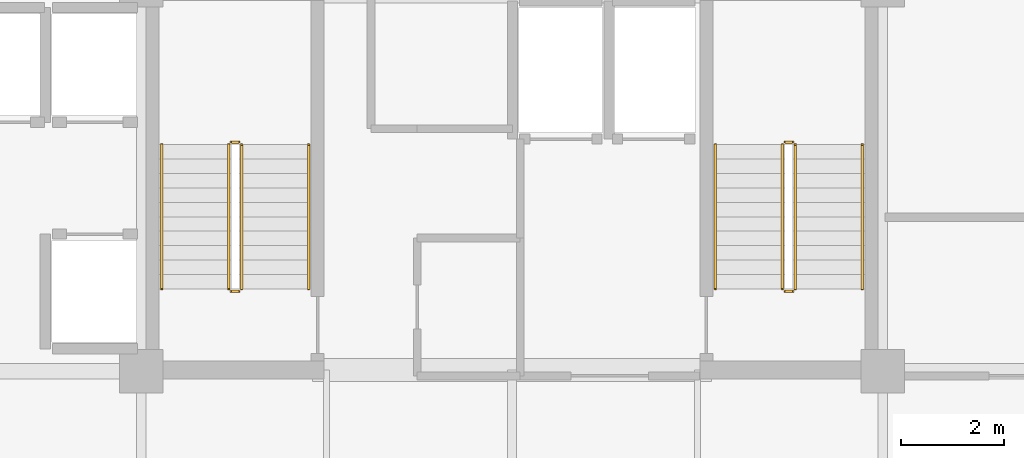
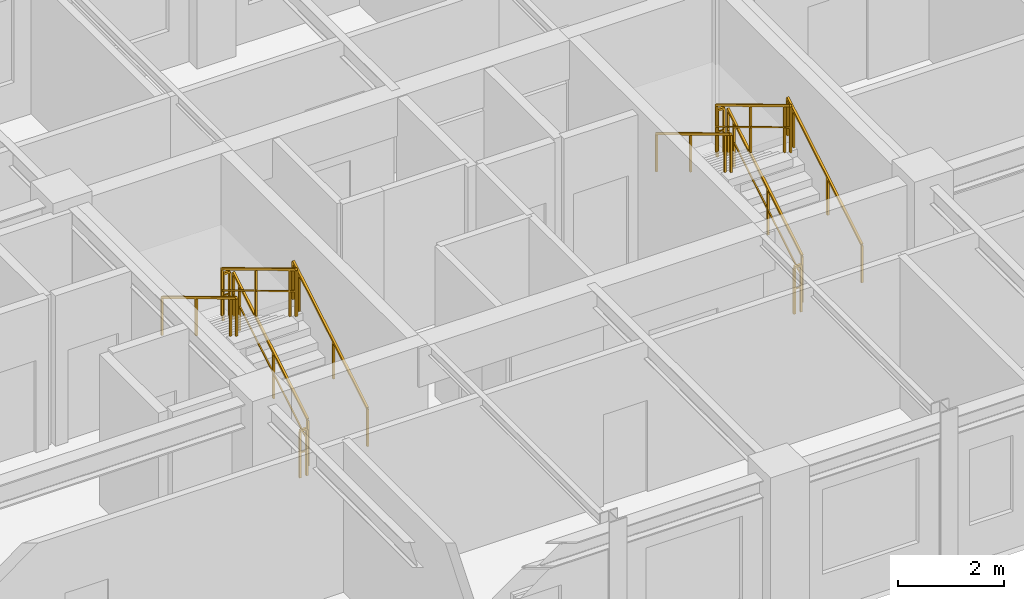
# One storey, part 10 of 11: 12 railings.
"""IFC4 building model written with IfcOpenShell, lengths in metres."""

import ifcopenshell
import ifcopenshell.guid

model = None  # the IFC model being written
_history = None  # IfcOwnerHistory: only IFC2X3 demands one
_inside = {}  # id of a spatial element -> (the spatial element, [elements in it])
_under = {}  # id of a project, library or spatial element -> (it, [spatial elements below it])
_declared = {}  # id of a project -> (the project, [libraries it declares])
_typed = {}  # id of a type object -> (the type object, [elements of that type])
_made_of = {}  # id of a material, layer set ... -> (it, [elements and type objects made of it])


def new_model(schema):
    """Start an empty IFC model of exactly this schema.

    Asked for "IFC4X3", IfcOpenShell would pick the latest addendum, in which some entities
    have other attributes; the version numbers below select the first issue.
    IFC2X3 requires an IfcOwnerHistory on every rooted entity: one is made here for all.
    """
    global model, _history
    if schema == "IFC4X3":
        model = ifcopenshell.file(schema_version=(4, 3, 0, 0))
    else:
        model = ifcopenshell.file(schema=schema)
    _inside.clear()
    _under.clear()
    _declared.clear()
    _typed.clear()
    _made_of.clear()
    _history = None
    if model.schema == "IFC2X3":
        org = make("IfcOrganization", Name="unknown")
        user = make(
            "IfcPersonAndOrganization",
            ThePerson=make("IfcPerson", FamilyName="unknown"),
            TheOrganization=org,
        )
        app = make(
            "IfcApplication",
            ApplicationDeveloper=org,
            Version="unknown",
            ApplicationFullName="unknown",
            ApplicationIdentifier="unknown",
        )
        _history = make(
            "IfcOwnerHistory",
            OwningUser=user,
            OwningApplication=app,
            ChangeAction="ADDED",
            CreationDate=0,
        )
    return model


def make(cls, **values):
    """One entity of the class cls with the attributes given. An attribute that is None is left unset."""
    return model.create_entity(
        cls, **{name: value for name, value in values.items() if value is not None}
    )


def rooted(cls, **values):
    """An entity with a GlobalId (a new one), such as an element, a storey or a relation."""
    return make(cls, GlobalId=ifcopenshell.guid.new(), OwnerHistory=_history, **values)


def si_unit(unit_type, name, prefix=None):
    """IfcSIUnit, for example si_unit("LENGTHUNIT", "METRE", prefix="MILLI")."""
    return make("IfcSIUnit", UnitType=unit_type, Prefix=prefix, Name=name)


def assignment(units):
    """IfcUnitAssignment: the units of a project."""
    return None if units is None else make("IfcUnitAssignment", Units=units)


def point(xyz):
    """IfcCartesianPoint."""
    return None if xyz is None else make("IfcCartesianPoint", Coordinates=xyz)


def direction(xyz):
    """IfcDirection."""
    return None if xyz is None else make("IfcDirection", DirectionRatios=xyz)


def frame(location, z_axis=None, x_axis=None):
    """IfcAxis2Placement3D, a coordinate frame: its origin and axes. An axis left out is left unset."""
    return make(
        "IfcAxis2Placement3D",
        Location=point(location),
        Axis=direction(z_axis),
        RefDirection=direction(x_axis),
    )


def frame_2d(location, x_axis=None):
    """IfcAxis2Placement2D, a coordinate frame in the plane: its origin and x axis."""
    return make(
        "IfcAxis2Placement2D", Location=point(location), RefDirection=direction(x_axis)
    )


def origin():
    """The frame at (0, 0, 0) with its axes left unset."""
    return frame((0.0, 0.0, 0.0))


def origin_2d():
    """The frame at (0, 0) in the plane with its x axis left unset."""
    return frame_2d((0.0, 0.0))


def place(relative_to, where):
    """IfcLocalPlacement: puts the frame where relative to a parent placement (None: the world)."""
    return make(
        "IfcLocalPlacement", PlacementRelTo=relative_to, RelativePlacement=where
    )


def context(
    kind, dimensions, precision=None, world=None, true_north=None, identifier=None
):
    """IfcGeometricRepresentationContext, for example the 3D "Model" context."""
    return make(
        "IfcGeometricRepresentationContext",
        ContextIdentifier=identifier,
        ContextType=kind,
        CoordinateSpaceDimension=dimensions,
        Precision=precision,
        WorldCoordinateSystem=world,
        TrueNorth=true_north,
    )


def subcontext(parent, identifier, kind, view, scale=None):
    """IfcGeometricRepresentationSubContext, for example "Body" below "Model"."""
    return make(
        "IfcGeometricRepresentationSubContext",
        ContextIdentifier=identifier,
        ContextType=kind,
        ParentContext=parent,
        TargetScale=scale,
        TargetView=view,
    )


def project(units=None, contexts=None):
    """IfcProject with its units and contexts."""
    return rooted(
        "IfcProject",
        Name="project",
        RepresentationContexts=contexts,
        UnitsInContext=assignment(units),
    )


def spatial(cls, under=None, at=None, **own):
    """A site, building, storey or space (cls), placed at a placement, below another one or the project."""
    s = rooted(cls, ObjectPlacement=at, **own)
    if under is not None:
        _under.setdefault(under.id(), (under, []))[1].append(s)
    return s


def profile(cls, at=None, kind="AREA", **sizes):
    """A parametric profile (cls). Its sizes go by their IFC names, for example OverallWidth=200.0."""
    return make(cls, ProfileType=kind, Position=at, **sizes)


def rectangle(**sizes):
    """IfcRectangleProfileDef."""
    return profile("IfcRectangleProfileDef", **sizes)


def extrude(swept, where, along, depth):
    """IfcExtrudedAreaSolid: the profile swept, set in the frame where, extruded along a direction by depth."""
    return make(
        "IfcExtrudedAreaSolid",
        SweptArea=swept,
        Position=where,
        ExtrudedDirection=direction(along),
        Depth=depth,
    )


def shape(context_of_items, identifier, shape_type, items):
    """IfcShapeRepresentation: the items that make up one representation, for example the "Body"."""
    return make(
        "IfcShapeRepresentation",
        ContextOfItems=context_of_items,
        RepresentationIdentifier=identifier,
        RepresentationType=shape_type,
        Items=items,
    )


def material(Name=None, Category=None):
    """IfcMaterial."""
    return make("IfcMaterial", Name=Name, Category=Category)


def made_of(thing, what):
    """Note that an element or type object is made of a material, layer set ...; save() writes the relation."""
    if what is not None:
        _made_of.setdefault(what.id(), (what, []))[1].append(thing)
    return thing


def type_object(cls, material=None, **own):
    """A type object (cls), such as IfcWallType, which elements share."""
    return made_of(rooted(cls, **own), material)


def element(
    cls,
    number,
    at=None,
    inside=None,
    cuts=None,
    type_object=None,
    material=None,
    context=None,
    identifier="Body",
    shape_type=None,
    held_by="IfcProductDefinitionShape",
    body=None,
    shapes=None,
    **own,
):
    """One element of the class cls, such as IfcWall. Its Tag is "e" and its number.

    at: its placement. inside: the storey or other place that contains it. cuts: it is an
    opening in that element (IfcRelVoidsElement). A single representation is given by context,
    identifier, shape_type and body (its items); several are given by shapes. held_by: the class
    of the entity that holds the representations. save() writes the other relations.
    """
    e = rooted(cls, Tag="e%d" % number, ObjectPlacement=at, **own)
    if body is not None:
        shapes = [shape(context, identifier, shape_type, body)]
    if shapes is not None:
        e.Representation = make(held_by, Representations=shapes)
    if inside is not None:
        _inside.setdefault(inside.id(), (inside, []))[1].append(e)
    if cuts is not None:
        rooted(
            "IfcRelVoidsElement", RelatingBuildingElement=cuts, RelatedOpeningElement=e
        )
    if type_object is not None:
        _typed.setdefault(type_object.id(), (type_object, []))[1].append(e)
    return made_of(e, material)


def aggregate(whole, parts):
    """IfcRelAggregates: a whole, such as a stair, and the parts it consists of."""
    return rooted("IfcRelAggregates", RelatingObject=whole, RelatedObjects=parts)


def save(model, path):
    """Write the relations noted so far, then the file.

    IfcRelAggregates (storeys below a building ...), IfcRelContainedInSpatialStructure (elements
    in a storey), IfcRelDefinesByType, IfcRelAssociatesMaterial and IfcRelDeclares: one each for
    every whole, place, type object, material and project.
    """
    for whole, parts in _under.values():
        aggregate(whole, parts)
    for where, things in _inside.values():
        rooted(
            "IfcRelContainedInSpatialStructure",
            RelatedElements=things,
            RelatingStructure=where,
        )
    for kind, things in _typed.values():
        rooted("IfcRelDefinesByType", RelatedObjects=things, RelatingType=kind)
    for what, things in _made_of.values():
        rooted("IfcRelAssociatesMaterial", RelatedObjects=things, RelatingMaterial=what)
    for by, libraries in _declared.values():
        rooted("IfcRelDeclares", RelatingContext=by, RelatedDefinitions=libraries)
    model.write(path)


model = new_model("IFC4")

# Units and contexts
model_context = context("Model", 3, precision=1e-05, world=origin(), true_north=direction((0.0, 1.0)))
body_context = subcontext(model_context, "Body", "Model", "MODEL_VIEW")
ifc_project = project(units=[si_unit("LENGTHUNIT", "METRE"), si_unit("AREAUNIT", "SQUARE_METRE"), si_unit("VOLUMEUNIT", "CUBIC_METRE"), si_unit("PLANEANGLEUNIT", "RADIAN"), si_unit("MASSUNIT", "GRAM", prefix="KILO")], contexts=[model_context])

# Site, building, storey
site_placement = place(None, origin())
site = spatial("IfcSite", under=ifc_project, at=site_placement, CompositionType="ELEMENT")
building_placement = place(site_placement, origin())
building = spatial("IfcBuilding", under=site, at=building_placement, Name="Kaliganga Portal Commons", CompositionType="ELEMENT")
storey_placement = place(building_placement, frame((0.0, 0.0, 268.39990234375)))
storey = spatial("IfcBuildingStorey", under=building, at=storey_placement, Name="L69", CompositionType="ELEMENT", Elevation=268.39990234375)

# Railings
ifc_material_1 = material(Name="Galvanized Painted Steel Balustrade", Category="steel")
railing_type_1 = type_object("IfcRailingType", Name="RLG-STAIR-GRD", PredefinedType="GUARDRAIL", material=ifc_material_1)
railing_1_placement = place(storey_placement, frame((16.35009765625, 30.25, 0.168212890625)))
element("IfcRailing", 1, at=railing_1_placement, inside=storey, type_object=railing_type_1, Name="L69 ST-A1 stair guard 1", PredefinedType="GUARDRAIL", context=body_context, shape_type="SweptSolid", body=[
    extrude(rectangle(XDim=0.048095703125, YDim=0.048095703125, at=origin_2d()), frame((0.0, 0.0, 1.072021484375), z_axis=(0.0, 0.857242210791, 0.514913383045), x_axis=(-1.0, 0.0, 0.0)), (0.0, 0.0, 1.0), 3.266357421875),
    extrude(rectangle(XDim=0.028076171875, YDim=0.028076171875, at=origin_2d()), frame((0.0, 0.0, 0.572021484375), z_axis=(0.0, 0.857242210791, 0.514913383045), x_axis=(-1.0, 0.0, 0.0)), (0.0, 0.0, 1.0), 3.266357421875),
    extrude(rectangle(XDim=0.0419921875, YDim=0.0419921875, at=origin_2d()), origin(), (0.0, 0.0, 1.0), 1.052001953125),
    extrude(rectangle(XDim=0.0419921875, YDim=0.0419921875, at=origin_2d()), frame((0.0, 1.285888671875, 0.7724609375)), (0.0, 0.0, 1.0), 1.052001953125),
    extrude(rectangle(XDim=0.0419921875, YDim=0.0419921875, at=origin_2d()), frame((0.0, 2.57177734375, 1.544677734375)), (0.0, 0.0, 1.0), 1.052001953125),
    extrude(rectangle(XDim=0.0419921875, YDim=0.0419921875, at=origin_2d()), frame((0.0, 2.800048828125, 1.681884765625)), (0.0, 0.0, 1.0), 1.052001953125),
])
railing_2_placement = place(storey_placement, frame((16.300048828125, 33.10009765625, 1.85009765625)))
element("IfcRailing", 2, at=railing_2_placement, inside=storey, type_object=railing_type_1, Name="L69 ST-A1 stair guard 2", PredefinedType="GUARDRAIL", context=body_context, shape_type="SweptSolid", body=[
    extrude(rectangle(XDim=0.048095703125, YDim=0.048095703125, at=origin_2d()), frame((0.0, 0.0, 1.076171875), z_axis=(-1.0, 0.0, 0.0), x_axis=(0.0, -1.0, 0.0)), (0.0, 0.0, 1.0), 0.150146484375),
    extrude(rectangle(XDim=0.028076171875, YDim=0.028076171875, at=origin_2d()), frame((0.0, 0.0, 0.572021484375), z_axis=(-1.0, 0.0, 0.0), x_axis=(0.0, -1.0, 0.0)), (0.0, 0.0, 1.0), 0.150146484375),
    extrude(rectangle(XDim=0.0419921875, YDim=0.0419921875, at=origin_2d()), origin(), (0.0, 0.0, 1.0), 1.052001953125),
    extrude(rectangle(XDim=0.0419921875, YDim=0.0419921875, at=origin_2d()), frame((-0.150146484375, 0.0, 0.0)), (0.0, 0.0, 1.0), 1.052001953125),
])
railing_3_placement = place(storey_placement, frame((16.10009765625, 33.050048828125, 2.018310546875)))
element("IfcRailing", 3, at=railing_3_placement, inside=storey, type_object=railing_type_1, Name="L69 ST-A1 stair guard 3", PredefinedType="GUARDRAIL", context=body_context, shape_type="SweptSolid", body=[
    extrude(rectangle(XDim=0.048095703125, YDim=0.048095703125, at=origin_2d()), frame((0.0, 0.0, 1.072021484375), z_axis=(0.0, -0.857242210791, 0.514913383045), x_axis=(1.0, 0.0, 0.0)), (0.0, 0.0, 1.0), 3.266357421875),
    extrude(rectangle(XDim=0.028076171875, YDim=0.028076171875, at=origin_2d()), frame((0.0, 0.0, 0.572021484375), z_axis=(0.0, -0.857242210791, 0.514913383045), x_axis=(1.0, 0.0, 0.0)), (0.0, 0.0, 1.0), 3.266357421875),
    extrude(rectangle(XDim=0.0419921875, YDim=0.0419921875, at=origin_2d()), origin(), (0.0, 0.0, 1.0), 1.052001953125),
    extrude(rectangle(XDim=0.0419921875, YDim=0.0419921875, at=origin_2d()), frame((0.0, -1.285888671875, 0.7724609375)), (0.0, 0.0, 1.0), 1.052001953125),
    extrude(rectangle(XDim=0.0419921875, YDim=0.0419921875, at=origin_2d()), frame((0.0, -2.57177734375, 1.544677734375)), (0.0, 0.0, 1.0), 1.052001953125),
    extrude(rectangle(XDim=0.0419921875, YDim=0.0419921875, at=origin_2d()), frame((0.0, -2.800048828125, 1.681884765625)), (0.0, 0.0, 1.0), 1.052001953125),
])
railing_4_placement = place(storey_placement, frame((16.300048828125, 30.199951171875, 0.0)))
element("IfcRailing", 4, at=railing_4_placement, inside=storey, type_object=railing_type_1, Name="L69 ST-A1 stair guard 4", PredefinedType="GUARDRAIL", context=body_context, shape_type="SweptSolid", body=[
    extrude(rectangle(XDim=0.048095703125, YDim=0.048095703125, at=origin_2d()), frame((0.0, 0.0, 1.076171875), z_axis=(-1.0, 0.0, 0.0), x_axis=(0.0, -1.0, 0.0)), (0.0, 0.0, 1.0), 0.150146484375),
    extrude(rectangle(XDim=0.028076171875, YDim=0.028076171875, at=origin_2d()), frame((0.0, 0.0, 0.572021484375), z_axis=(-1.0, 0.0, 0.0), x_axis=(0.0, -1.0, 0.0)), (0.0, 0.0, 1.0), 0.150146484375),
    extrude(rectangle(XDim=0.0419921875, YDim=0.0419921875, at=origin_2d()), origin(), (0.0, 0.0, 1.0), 1.052001953125),
    extrude(rectangle(XDim=0.0419921875, YDim=0.0419921875, at=origin_2d()), frame((-0.150146484375, 0.0, 0.0)), (0.0, 0.0, 1.0), 1.052001953125),
])
railing_5_placement = place(storey_placement, frame((27.10009765625, 30.25, 0.168212890625)))
element("IfcRailing", 5, at=railing_5_placement, inside=storey, type_object=railing_type_1, Name="L69 ST-A2 stair guard 1", PredefinedType="GUARDRAIL", context=body_context, shape_type="SweptSolid", body=[
    extrude(rectangle(XDim=0.048095703125, YDim=0.048095703125, at=origin_2d()), frame((0.0, 0.0, 1.072021484375), z_axis=(0.0, 0.857242210791, 0.514913383045), x_axis=(-1.0, 0.0, 0.0)), (0.0, 0.0, 1.0), 3.266357421875),
    extrude(rectangle(XDim=0.028076171875, YDim=0.028076171875, at=origin_2d()), frame((0.0, 0.0, 0.572021484375), z_axis=(0.0, 0.857242210791, 0.514913383045), x_axis=(-1.0, 0.0, 0.0)), (0.0, 0.0, 1.0), 3.266357421875),
    extrude(rectangle(XDim=0.0419921875, YDim=0.0419921875, at=origin_2d()), origin(), (0.0, 0.0, 1.0), 1.052001953125),
    extrude(rectangle(XDim=0.0419921875, YDim=0.0419921875, at=origin_2d()), frame((0.0, 1.285888671875, 0.7724609375)), (0.0, 0.0, 1.0), 1.052001953125),
    extrude(rectangle(XDim=0.0419921875, YDim=0.0419921875, at=origin_2d()), frame((0.0, 2.57177734375, 1.544677734375)), (0.0, 0.0, 1.0), 1.052001953125),
    extrude(rectangle(XDim=0.0419921875, YDim=0.0419921875, at=origin_2d()), frame((0.0, 2.800048828125, 1.681884765625)), (0.0, 0.0, 1.0), 1.052001953125),
])
railing_6_placement = place(storey_placement, frame((27.050048828125, 33.10009765625, 1.85009765625)))
element("IfcRailing", 6, at=railing_6_placement, inside=storey, type_object=railing_type_1, Name="L69 ST-A2 stair guard 2", PredefinedType="GUARDRAIL", context=body_context, shape_type="SweptSolid", body=[
    extrude(rectangle(XDim=0.048095703125, YDim=0.048095703125, at=origin_2d()), frame((0.0, 0.0, 1.076171875), z_axis=(-1.0, 0.0, 0.0), x_axis=(0.0, -1.0, 0.0)), (0.0, 0.0, 1.0), 0.150146484375),
    extrude(rectangle(XDim=0.028076171875, YDim=0.028076171875, at=origin_2d()), frame((0.0, 0.0, 0.572021484375), z_axis=(-1.0, 0.0, 0.0), x_axis=(0.0, -1.0, 0.0)), (0.0, 0.0, 1.0), 0.150146484375),
    extrude(rectangle(XDim=0.0419921875, YDim=0.0419921875, at=origin_2d()), origin(), (0.0, 0.0, 1.0), 1.052001953125),
    extrude(rectangle(XDim=0.0419921875, YDim=0.0419921875, at=origin_2d()), frame((-0.150146484375, 0.0, 0.0)), (0.0, 0.0, 1.0), 1.052001953125),
])
railing_7_placement = place(storey_placement, frame((26.85009765625, 33.050048828125, 2.018310546875)))
element("IfcRailing", 7, at=railing_7_placement, inside=storey, type_object=railing_type_1, Name="L69 ST-A2 stair guard 3", PredefinedType="GUARDRAIL", context=body_context, shape_type="SweptSolid", body=[
    extrude(rectangle(XDim=0.048095703125, YDim=0.048095703125, at=origin_2d()), frame((0.0, 0.0, 1.072021484375), z_axis=(0.0, -0.857242210791, 0.514913383045), x_axis=(1.0, 0.0, 0.0)), (0.0, 0.0, 1.0), 3.266357421875),
    extrude(rectangle(XDim=0.028076171875, YDim=0.028076171875, at=origin_2d()), frame((0.0, 0.0, 0.572021484375), z_axis=(0.0, -0.857242210791, 0.514913383045), x_axis=(1.0, 0.0, 0.0)), (0.0, 0.0, 1.0), 3.266357421875),
    extrude(rectangle(XDim=0.0419921875, YDim=0.0419921875, at=origin_2d()), origin(), (0.0, 0.0, 1.0), 1.052001953125),
    extrude(rectangle(XDim=0.0419921875, YDim=0.0419921875, at=origin_2d()), frame((0.0, -1.285888671875, 0.7724609375)), (0.0, 0.0, 1.0), 1.052001953125),
    extrude(rectangle(XDim=0.0419921875, YDim=0.0419921875, at=origin_2d()), frame((0.0, -2.57177734375, 1.544677734375)), (0.0, 0.0, 1.0), 1.052001953125),
    extrude(rectangle(XDim=0.0419921875, YDim=0.0419921875, at=origin_2d()), frame((0.0, -2.800048828125, 1.681884765625)), (0.0, 0.0, 1.0), 1.052001953125),
])
railing_8_placement = place(storey_placement, frame((27.050048828125, 30.199951171875, 0.0)))
element("IfcRailing", 8, at=railing_8_placement, inside=storey, type_object=railing_type_1, Name="L69 ST-A2 stair guard 4", PredefinedType="GUARDRAIL", context=body_context, shape_type="SweptSolid", body=[
    extrude(rectangle(XDim=0.048095703125, YDim=0.048095703125, at=origin_2d()), frame((0.0, 0.0, 1.076171875), z_axis=(-1.0, 0.0, 0.0), x_axis=(0.0, -1.0, 0.0)), (0.0, 0.0, 1.0), 0.150146484375),
    extrude(rectangle(XDim=0.028076171875, YDim=0.028076171875, at=origin_2d()), frame((0.0, 0.0, 0.572021484375), z_axis=(-1.0, 0.0, 0.0), x_axis=(0.0, -1.0, 0.0)), (0.0, 0.0, 1.0), 0.150146484375),
    extrude(rectangle(XDim=0.0419921875, YDim=0.0419921875, at=origin_2d()), origin(), (0.0, 0.0, 1.0), 1.052001953125),
    extrude(rectangle(XDim=0.0419921875, YDim=0.0419921875, at=origin_2d()), frame((-0.150146484375, 0.0, 0.0)), (0.0, 0.0, 1.0), 1.052001953125),
])
ifc_material_2 = material(Name="Brushed Stainless Steel 316", Category="steel")
railing_type_2 = type_object("IfcRailingType", Name="RLG-STAIR-HR", PredefinedType="HANDRAIL", material=ifc_material_2)
railing_9_placement = place(storey_placement, frame((17.64990234375, 30.25, 0.168212890625)))
element("IfcRailing", 9, at=railing_9_placement, inside=storey, type_object=railing_type_2, Name="L69 ST-A1 stair handrail 1", PredefinedType="HANDRAIL", context=body_context, shape_type="SweptSolid", body=[
    extrude(rectangle(XDim=0.048095703125, YDim=0.048095703125, at=origin_2d()), frame((0.0, 0.0, 0.871826171875), z_axis=(0.0, 0.857242210791, 0.514913383045), x_axis=(-1.0, 0.0, 0.0)), (0.0, 0.0, 1.0), 3.266357421875),
    extrude(rectangle(XDim=0.0419921875, YDim=0.0419921875, at=origin_2d()), origin(), (0.0, 0.0, 1.0), 0.851806640625),
    extrude(rectangle(XDim=0.0419921875, YDim=0.0419921875, at=origin_2d()), frame((0.0, 1.285888671875, 0.7724609375)), (0.0, 0.0, 1.0), 0.851806640625),
    extrude(rectangle(XDim=0.0419921875, YDim=0.0419921875, at=origin_2d()), frame((0.0, 2.57177734375, 1.544677734375)), (0.0, 0.0, 1.0), 0.851806640625),
    extrude(rectangle(XDim=0.0419921875, YDim=0.0419921875, at=origin_2d()), frame((0.0, 2.800048828125, 1.681884765625)), (0.0, 0.0, 1.0), 0.851806640625),
])
railing_10_placement = place(storey_placement, frame((14.800048828125, 33.050048828125, 2.018310546875)))
element("IfcRailing", 10, at=railing_10_placement, inside=storey, type_object=railing_type_2, Name="L69 ST-A1 stair handrail 2", PredefinedType="HANDRAIL", context=body_context, shape_type="SweptSolid", body=[
    extrude(rectangle(XDim=0.048095703125, YDim=0.048095703125, at=origin_2d()), frame((0.0, 0.0, 0.871826171875), z_axis=(0.0, -0.857242210791, 0.514913383045), x_axis=(1.0, 0.0, 0.0)), (0.0, 0.0, 1.0), 3.266357421875),
    extrude(rectangle(XDim=0.0419921875, YDim=0.0419921875, at=origin_2d()), origin(), (0.0, 0.0, 1.0), 0.851806640625),
    extrude(rectangle(XDim=0.0419921875, YDim=0.0419921875, at=origin_2d()), frame((0.0, -1.285888671875, 0.7724609375)), (0.0, 0.0, 1.0), 0.851806640625),
    extrude(rectangle(XDim=0.0419921875, YDim=0.0419921875, at=origin_2d()), frame((0.0, -2.57177734375, 1.544677734375)), (0.0, 0.0, 1.0), 0.851806640625),
    extrude(rectangle(XDim=0.0419921875, YDim=0.0419921875, at=origin_2d()), frame((0.0, -2.800048828125, 1.681884765625)), (0.0, 0.0, 1.0), 0.851806640625),
])
railing_11_placement = place(storey_placement, frame((28.39990234375, 30.25, 0.168212890625)))
element("IfcRailing", 11, at=railing_11_placement, inside=storey, type_object=railing_type_2, Name="L69 ST-A2 stair handrail 1", PredefinedType="HANDRAIL", context=body_context, shape_type="SweptSolid", body=[
    extrude(rectangle(XDim=0.048095703125, YDim=0.048095703125, at=origin_2d()), frame((0.0, 0.0, 0.871826171875), z_axis=(0.0, 0.857242210791, 0.514913383045), x_axis=(-1.0, 0.0, 0.0)), (0.0, 0.0, 1.0), 3.266357421875),
    extrude(rectangle(XDim=0.0419921875, YDim=0.0419921875, at=origin_2d()), origin(), (0.0, 0.0, 1.0), 0.851806640625),
    extrude(rectangle(XDim=0.0419921875, YDim=0.0419921875, at=origin_2d()), frame((0.0, 1.285888671875, 0.7724609375)), (0.0, 0.0, 1.0), 0.851806640625),
    extrude(rectangle(XDim=0.0419921875, YDim=0.0419921875, at=origin_2d()), frame((0.0, 2.57177734375, 1.544677734375)), (0.0, 0.0, 1.0), 0.851806640625),
    extrude(rectangle(XDim=0.0419921875, YDim=0.0419921875, at=origin_2d()), frame((0.0, 2.800048828125, 1.681884765625)), (0.0, 0.0, 1.0), 0.851806640625),
])
railing_12_placement = place(storey_placement, frame((25.550048828125, 33.050048828125, 2.018310546875)))
element("IfcRailing", 12, at=railing_12_placement, inside=storey, type_object=railing_type_2, Name="L69 ST-A2 stair handrail 2", PredefinedType="HANDRAIL", context=body_context, shape_type="SweptSolid", body=[
    extrude(rectangle(XDim=0.048095703125, YDim=0.048095703125, at=origin_2d()), frame((0.0, 0.0, 0.871826171875), z_axis=(0.0, -0.857242210791, 0.514913383045), x_axis=(1.0, 0.0, 0.0)), (0.0, 0.0, 1.0), 3.266357421875),
    extrude(rectangle(XDim=0.0419921875, YDim=0.0419921875, at=origin_2d()), origin(), (0.0, 0.0, 1.0), 0.851806640625),
    extrude(rectangle(XDim=0.0419921875, YDim=0.0419921875, at=origin_2d()), frame((0.0, -1.285888671875, 0.7724609375)), (0.0, 0.0, 1.0), 0.851806640625),
    extrude(rectangle(XDim=0.0419921875, YDim=0.0419921875, at=origin_2d()), frame((0.0, -2.57177734375, 1.544677734375)), (0.0, 0.0, 1.0), 0.851806640625),
    extrude(rectangle(XDim=0.0419921875, YDim=0.0419921875, at=origin_2d()), frame((0.0, -2.800048828125, 1.681884765625)), (0.0, 0.0, 1.0), 0.851806640625),
])

save(model, "model.ifc")
